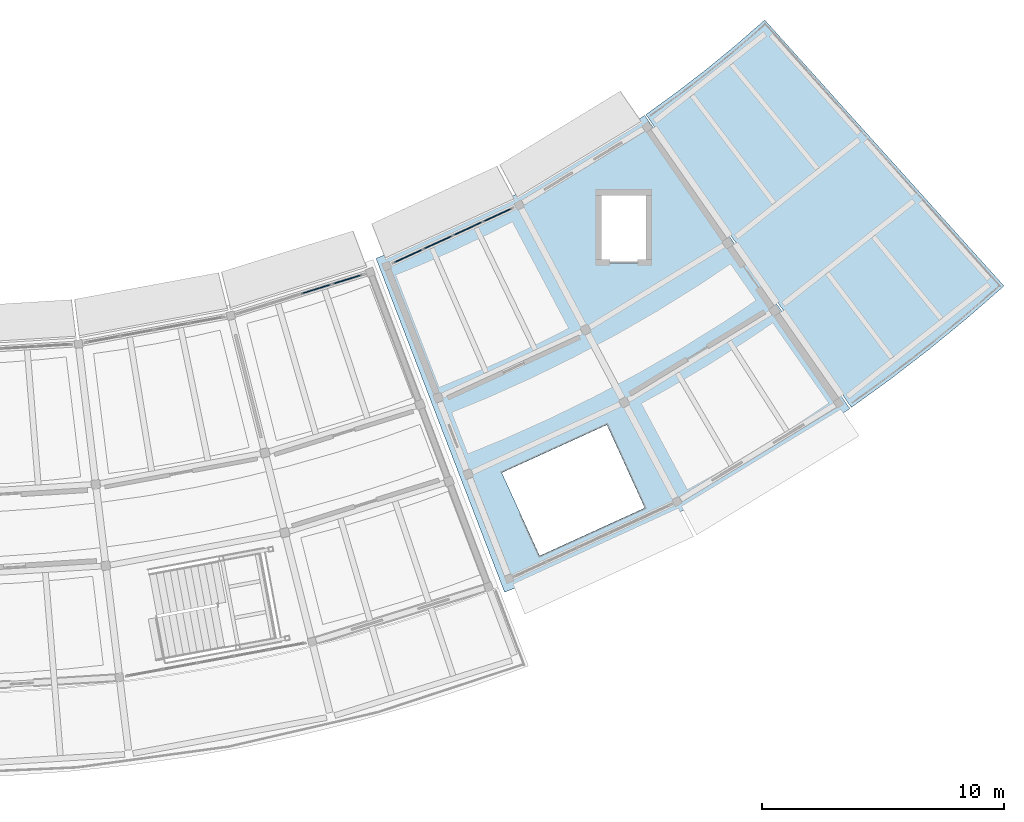
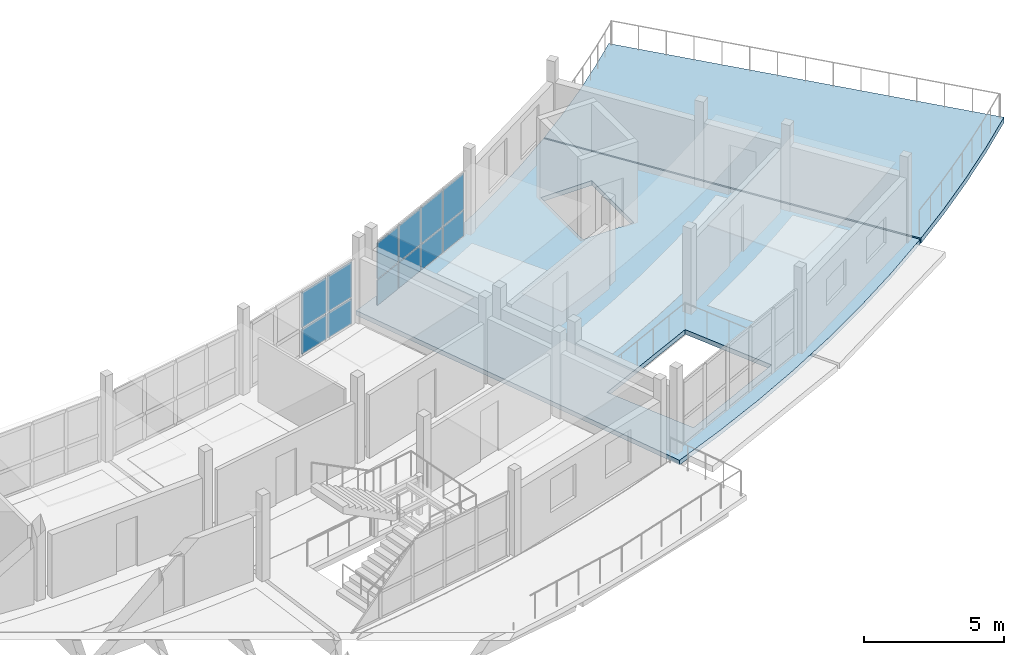
# One storey, part 16 of 24: 12 plates, 2 slabs, 2 elements without a shape of their own.
"""IFC4 building model written with IfcOpenShell, lengths in metres."""

from ifc_helpers import new_model, si_unit, direction, frame, origin, origin_2d, place, context, subcontext, project, spatial, polyline, rectangle, outline, extrude, material, layer, layer_set, type_object, element, aggregate, save


model = new_model("IFC4")

# Units and contexts
model_context = context("Model", 3, precision=1e-05, world=origin(), true_north=direction((0.0, 1.0)))
body_context = subcontext(model_context, "Body", "Model", "MODEL_VIEW")
ifc_project = project(units=[si_unit("LENGTHUNIT", "METRE"), si_unit("AREAUNIT", "SQUARE_METRE"), si_unit("VOLUMEUNIT", "CUBIC_METRE"), si_unit("PLANEANGLEUNIT", "RADIAN"), si_unit("MASSUNIT", "GRAM", prefix="KILO")], contexts=[model_context])

# Site, building, storey
site_placement = place(None, origin())
site = spatial("IfcSite", under=ifc_project, at=site_placement, CompositionType="ELEMENT")
building_placement = place(site_placement, origin())
building = spatial("IfcBuilding", under=site, at=building_placement, Name="Caldaven Crescent School", CompositionType="ELEMENT")
storey_placement = place(building_placement, frame((0.0, 0.0, 15.639892578125)))
storey = spatial("IfcBuildingStorey", under=building, at=storey_placement, Name="L04", CompositionType="ELEMENT", Elevation=15.639892578125)

# Curtain wall, plates
ifc_material_1 = material(Name="Anodised aluminium AA 6063-T6 and low-E double glazing", Category="aluminium")
ifc_layer_1 = layer(ifc_material_1, 0.22998046875)
ifc_layer_set_1 = layer_set([ifc_layer_1], Name="Anodised aluminium AA 6063-T6 and low-E double glazing")
curtain_wall_type_1 = type_object("IfcCurtainWallType", Name="CW-SYS4", PredefinedType="NOTDEFINED", material=ifc_layer_set_1)
curtain_wall_1_placement = place(storey_placement, origin())
curtain_wall_1 = element("IfcCurtainWall", 1, at=curtain_wall_1_placement, inside=storey, type_object=curtain_wall_type_1, Name="CW-L04-176", PredefinedType="NOTDEFINED")
ifc_material_2 = material(Name="Tempered low-E double glazing IGU", Category="glass")
ifc_layer_2 = layer(ifc_material_2, 0.0419921875)
ifc_layer_set_2 = layer_set([ifc_layer_2], Name="Tempered low-E double glazing IGU")
plate_type_1 = type_object("IfcPlateType", Name="PLT-CWP09", PredefinedType="CURTAIN_PANEL", material=ifc_layer_set_2)
plate_1_placement = place(storey_placement, frame((104.223388671875, 46.208984375, 0.070068359375), z_axis=(0.0, 0.0, 1.0), x_axis=(0.954746818344, 0.297419758694, 0.0)))
plate_1 = element("IfcPlate", 2, at=plate_1_placement, type_object=plate_type_1, Name="CW4 panel 3.1", PredefinedType="CURTAIN_PANEL", context=body_context, shape_type="SweptSolid", body=[
    extrude(rectangle(XDim=1.290771484375, YDim=0.0419921875, at=origin_2d()), origin(), (0.0, 0.0, 1.0), 1.0791015625),
])
plate_2_placement = place(storey_placement, frame((104.223388671875, 46.208984375, 1.21923828125), z_axis=(0.0, 0.0, 1.0), x_axis=(0.954746818344, 0.297419758694, 0.0)))
plate_2 = element("IfcPlate", 3, at=plate_2_placement, type_object=plate_type_1, Name="CW4 panel 3.2", PredefinedType="CURTAIN_PANEL", context=body_context, shape_type="SweptSolid", body=[
    extrude(rectangle(XDim=1.290771484375, YDim=0.0419921875, at=origin_2d()), origin(), (0.0, 0.0, 1.0), 1.531005859375),
])
plate_3_placement = place(storey_placement, frame((105.506103515625, 46.608642578125, 0.070068359375), z_axis=(0.0, 0.0, 1.0), x_axis=(0.954746818344, 0.297419758694, 0.0)))
plate_3 = element("IfcPlate", 4, at=plate_3_placement, type_object=plate_type_1, Name="CW4 panel 4.1", PredefinedType="CURTAIN_PANEL", context=body_context, shape_type="SweptSolid", body=[
    extrude(rectangle(XDim=1.255859375, YDim=0.0419921875, at=origin_2d()), origin(), (0.0, 0.0, 1.0), 1.0791015625),
])
plate_4_placement = place(storey_placement, frame((105.506103515625, 46.608642578125, 1.21923828125), z_axis=(0.0, 0.0, 1.0), x_axis=(0.954746818344, 0.297419758694, 0.0)))
plate_4 = element("IfcPlate", 5, at=plate_4_placement, type_object=plate_type_1, Name="CW4 panel 4.2", PredefinedType="CURTAIN_PANEL", context=body_context, shape_type="SweptSolid", body=[
    extrude(rectangle(XDim=1.255859375, YDim=0.0419921875, at=origin_2d()), origin(), (0.0, 0.0, 1.0), 1.531005859375),
])
aggregate(curtain_wall_1, [plate_1, plate_2, plate_3, plate_4])

ifc_layer_3 = layer(ifc_material_1, 0.169921875)
ifc_layer_set_3 = layer_set([ifc_layer_3], Name="Anodised aluminium AA 6063-T6 and low-E double glazing")
curtain_wall_type_2 = type_object("IfcCurtainWallType", Name="CW-SYS1", PredefinedType="NOTDEFINED", material=ifc_layer_set_3)
curtain_wall_2_placement = place(storey_placement, origin())
curtain_wall_2 = element("IfcCurtainWall", 6, at=curtain_wall_2_placement, inside=storey, type_object=curtain_wall_type_2, Name="CW-L04-177", PredefinedType="NOTDEFINED")
ifc_layer_4 = layer(ifc_material_2, 0.0439453125)
ifc_layer_set_4 = layer_set([ifc_layer_4], Name="Tempered low-E double glazing IGU")
plate_type_2 = type_object("IfcPlateType", Name="PLT-CWP10", PredefinedType="CURTAIN_PANEL", material=ifc_layer_set_4)
plate_5_placement = place(storey_placement, frame((108.03759765625, 47.580078125, 0.06005859375), z_axis=(0.0, 0.0, 1.0), x_axis=(0.908527944654, 0.417824094306, 0.0)))
plate_5 = element("IfcPlate", 7, at=plate_5_placement, type_object=plate_type_2, Name="CW1 panel 1.1", PredefinedType="CURTAIN_PANEL", context=body_context, shape_type="SweptSolid", body=[
    extrude(rectangle(XDim=1.270751953125, YDim=0.0439453125, at=origin_2d()), origin(), (0.0, 0.0, 1.0), 1.093994140625),
])
plate_6_placement = place(storey_placement, frame((108.03759765625, 47.580078125, 1.214111328125), z_axis=(0.0, 0.0, 1.0), x_axis=(0.908527944654, 0.417824094306, 0.0)))
plate_6 = element("IfcPlate", 8, at=plate_6_placement, type_object=plate_type_2, Name="CW1 panel 1.2", PredefinedType="CURTAIN_PANEL", context=body_context, shape_type="SweptSolid", body=[
    extrude(rectangle(XDim=1.270751953125, YDim=0.0439453125, at=origin_2d()), origin(), (0.0, 0.0, 1.0), 1.5458984375),
])
plate_7_placement = place(storey_placement, frame((109.26025390625, 48.142578125, 0.06005859375), z_axis=(0.0, 0.0, 1.0), x_axis=(0.908527944654, 0.417824094306, 0.0)))
plate_7 = element("IfcPlate", 9, at=plate_7_placement, type_object=plate_type_2, Name="CW1 panel 2.1", PredefinedType="CURTAIN_PANEL", context=body_context, shape_type="SweptSolid", body=[
    extrude(rectangle(XDim=1.30078125, YDim=0.0439453125, at=origin_2d()), origin(), (0.0, 0.0, 1.0), 1.093994140625),
])
plate_8_placement = place(storey_placement, frame((109.26025390625, 48.142578125, 1.214111328125), z_axis=(0.0, 0.0, 1.0), x_axis=(0.908527944654, 0.417824094306, 0.0)))
plate_8 = element("IfcPlate", 10, at=plate_8_placement, type_object=plate_type_2, Name="CW1 panel 2.2", PredefinedType="CURTAIN_PANEL", context=body_context, shape_type="SweptSolid", body=[
    extrude(rectangle(XDim=1.30078125, YDim=0.0439453125, at=origin_2d()), origin(), (0.0, 0.0, 1.0), 1.5458984375),
])
plate_9_placement = place(storey_placement, frame((110.49658203125, 48.711181640625, 0.06005859375), z_axis=(0.0, 0.0, 1.0), x_axis=(0.908527944654, 0.417824094306, 0.0)))
plate_9 = element("IfcPlate", 11, at=plate_9_placement, type_object=plate_type_2, Name="CW1 panel 3.1", PredefinedType="CURTAIN_PANEL", context=body_context, shape_type="SweptSolid", body=[
    extrude(rectangle(XDim=1.30078125, YDim=0.0439453125, at=origin_2d()), origin(), (0.0, 0.0, 1.0), 1.093994140625),
])
plate_10_placement = place(storey_placement, frame((110.49658203125, 48.711181640625, 1.214111328125), z_axis=(0.0, 0.0, 1.0), x_axis=(0.908527944654, 0.417824094306, 0.0)))
plate_10 = element("IfcPlate", 12, at=plate_10_placement, type_object=plate_type_2, Name="CW1 panel 3.2", PredefinedType="CURTAIN_PANEL", context=body_context, shape_type="SweptSolid", body=[
    extrude(rectangle(XDim=1.30078125, YDim=0.0439453125, at=origin_2d()), origin(), (0.0, 0.0, 1.0), 1.5458984375),
])
plate_11_placement = place(storey_placement, frame((111.719482421875, 49.2734375, 0.06005859375), z_axis=(0.0, 0.0, 1.0), x_axis=(0.908527944654, 0.417824094306, 0.0)))
plate_11 = element("IfcPlate", 13, at=plate_11_placement, type_object=plate_type_2, Name="CW1 panel 4.1", PredefinedType="CURTAIN_PANEL", context=body_context, shape_type="SweptSolid", body=[
    extrude(rectangle(XDim=1.270751953125, YDim=0.0439453125, at=origin_2d()), origin(), (0.0, 0.0, 1.0), 1.093994140625),
])
plate_12_placement = place(storey_placement, frame((111.719482421875, 49.2734375, 1.214111328125), z_axis=(0.0, 0.0, 1.0), x_axis=(0.908527944654, 0.417824094306, 0.0)))
plate_12 = element("IfcPlate", 14, at=plate_12_placement, type_object=plate_type_2, Name="CW1 panel 4.2", PredefinedType="CURTAIN_PANEL", context=body_context, shape_type="SweptSolid", body=[
    extrude(rectangle(XDim=1.270751953125, YDim=0.0439453125, at=origin_2d()), origin(), (0.0, 0.0, 1.0), 1.5458984375),
])
aggregate(curtain_wall_2, [plate_5, plate_6, plate_7, plate_8, plate_9, plate_10, plate_11, plate_12])

# Slabs
ifc_material_3 = material(Name="Cross-laminated timber CLT C24", Category="wood")
ifc_layer_5 = layer(ifc_material_3, 0.199951171875)
ifc_layer_set_5 = layer_set([ifc_layer_5], Name="Cross-laminated timber CLT C24")
slab_type_1 = type_object("IfcSlabType", Name="SLB-FS3", PredefinedType="FLOOR", material=ifc_layer_set_5)
slab_1_placement = place(storey_placement, frame((0.0, 0.0, -0.199951171875)))
element("IfcSlab", 15, at=slab_1_placement, inside=storey, type_object=slab_type_1, Name="SLB-V4E-L04-B11", PredefinedType="FLOOR", context=body_context, shape_type="SweptSolid", body=[
    extrude(outline(polyline([(112.015625, 33.666259765625), (114.162841796875, 34.53662109375), (116.2783203125, 35.480712890625), (118.360107421875, 36.497802734375), (120.405029296875, 37.58642578125), (122.4111328125, 38.745361328125), (124.3759765625, 39.972900390625), (126.296875, 41.26806640625), (117.81201171875, 53.394287109375), (116.316650390625, 52.38623046875), (114.787109375, 51.430419921875), (113.2255859375, 50.5283203125), (111.633544921875, 49.680908203125), (110.01318359375, 48.88916015625), (108.3662109375, 48.154296875), (106.69482421875, 47.476806640625), (112.015625, 33.666259765625)]), holes=[polyline([(115.896484375, 47.263671875), (115.896484375, 50.263671875), (117.996337890625, 50.263671875), (117.996337890625, 47.263671875), (115.896484375, 47.263671875)]), polyline([(113.465087890625, 35.173583984375), (111.897705078125, 38.61328125), (116.2490234375, 40.59619140625), (117.816650390625, 37.156494140625), (113.465087890625, 35.173583984375)])]), origin(), (0.0, 0.0, 1.0), 0.199951171875),
])
ifc_layer_6 = layer(ifc_material_3, 0.22998046875)
ifc_layer_set_6 = layer_set([ifc_layer_6], Name="Cross-laminated timber CLT C24")
slab_type_2 = type_object("IfcSlabType", Name="SLB-TS2", PredefinedType="FLOOR", material=ifc_layer_set_6)
slab_2_placement = place(storey_placement, frame((0.0, 0.0, -0.22998046875)))
element("IfcSlab", 16, at=slab_2_placement, inside=storey, type_object=slab_type_2, Name="SLB-BT-L04-E", PredefinedType="FLOOR", context=body_context, shape_type="SweptSolid", body=[
    extrude(outline(polyline([(126.35986328125, 41.31201171875), (127.994384765625, 42.495849609375), (129.592529296875, 43.728515625), (131.15283203125, 45.009033203125), (132.673583984375, 46.3359375), (122.77587890625, 57.33935546875), (121.592041015625, 56.306396484375), (120.37744140625, 55.3095703125), (119.13330078125, 54.35009765625), (117.86083984375, 53.428466796875), (126.35986328125, 41.31201171875)])), origin(), (0.0, 0.0, 1.0), 0.22998046875),
])

save(model, "model.ifc")
